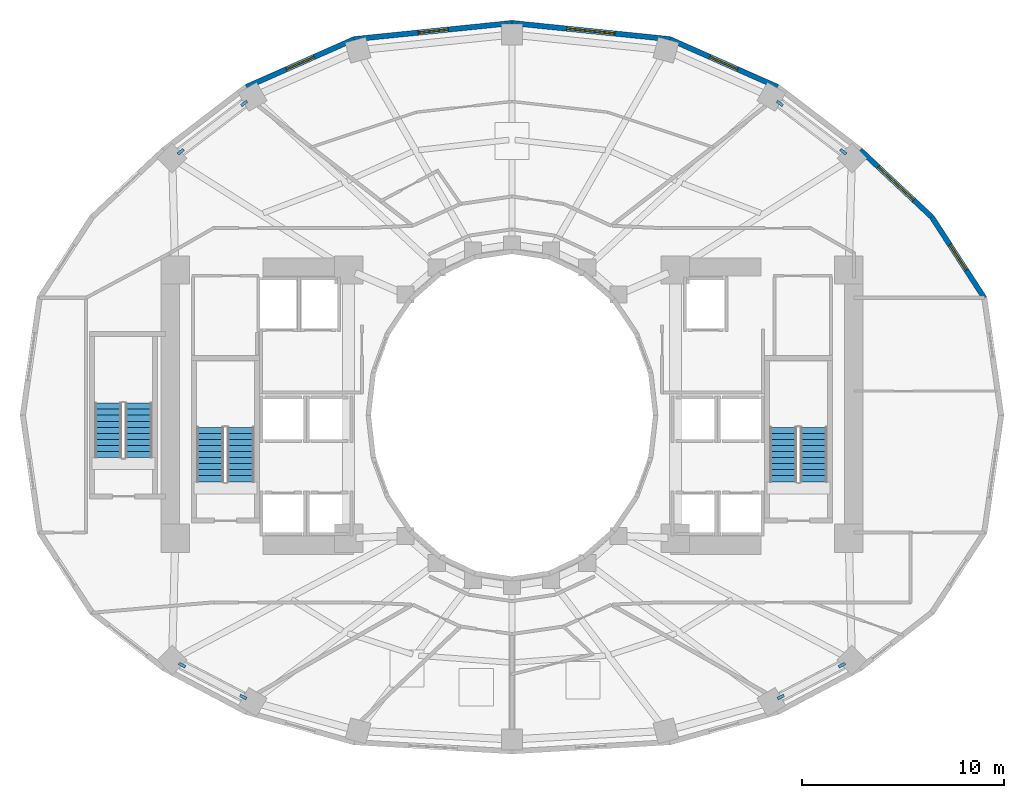
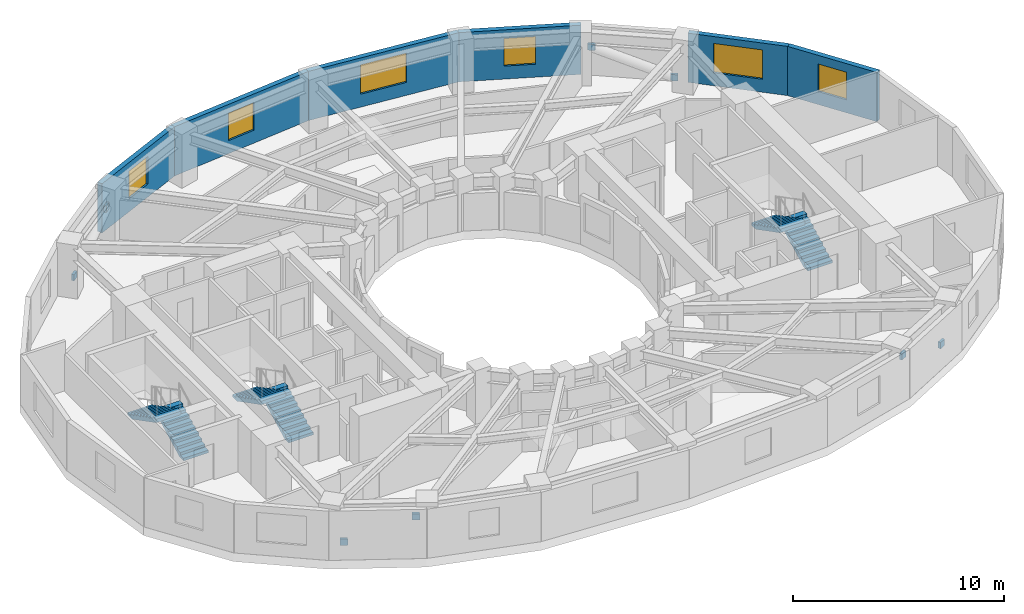
# One storey, part 7 of 9: 8 discrete accessories, 6 stair flights, 6 walls, 6 windows, 6 openings, 3 elements without a shape of their own.
"""IFC4 building model written with IfcOpenShell, lengths in metres."""

from ifc_helpers import new_model, si_unit, direction, frame, frame_2d, origin, origin_2d, place, context, subcontext, project, spatial, polyline, rectangle, outline, extrude, material, layer, layer_set, type_object, element, fill, aggregate, save


model = new_model("IFC4")

# Units and contexts
model_context = context("Model", 3, precision=1e-05, world=origin(), true_north=direction((0.0, 1.0)))
body_context = subcontext(model_context, "Body", "Model", "MODEL_VIEW")
ifc_project = project(units=[si_unit("LENGTHUNIT", "METRE"), si_unit("AREAUNIT", "SQUARE_METRE"), si_unit("VOLUMEUNIT", "CUBIC_METRE"), si_unit("PLANEANGLEUNIT", "RADIAN"), si_unit("MASSUNIT", "GRAM", prefix="KILO")], contexts=[model_context])

# Site, building, storey
site_placement = place(None, origin())
site = spatial("IfcSite", under=ifc_project, at=site_placement, CompositionType="ELEMENT")
building_placement = place(site_placement, origin())
building = spatial("IfcBuilding", under=site, at=building_placement, Name="Solvane Sanctuary Tower", CompositionType="ELEMENT")
storey_placement = place(building_placement, frame((0.0, 0.0, 76.300048828125)))
storey = spatial("IfcBuildingStorey", under=building, at=storey_placement, Name="L22", CompositionType="ELEMENT", Elevation=76.300048828125)

# Wall, opening, window
ifc_material_1 = material(Name="Precast concrete C40/50", Category="concrete")
ifc_layer_1 = layer(ifc_material_1, 0.260009765625, Name="Precast concrete C40/50")
ifc_layer_set_1 = layer_set([ifc_layer_1], Name="Precast concrete C40/50")
wall_type = type_object("IfcWallType", Name="Wall W-EXT-250", PredefinedType="STANDARD", material=ifc_layer_set_1)
wall_1_placement = place(storey_placement, frame((55.421875, 28.818603515625, 0.0), z_axis=(0.0, 0.0, 1.0), x_axis=(-0.544388392991, 0.838833283541, 0.0)))
wall_1 = element("IfcWall", 1, at=wall_1_placement, inside=storey, type_object=wall_type, Name="L22 Ceramic-Printed Facade Wall 01", PredefinedType="STANDARD", context=body_context, shape_type="SweptSolid", body=[
    extrude(rectangle(XDim=4.7783203125, YDim=0.260009765625, at=frame_2d((2.38916015625, 0.0))), origin(), (0.0, 0.0, 1.0), 2.849853515625),
])
opening_1_placement = place(wall_1_placement, frame((1.63916015625, 0.0, 0.75)))
opening_1 = element("IfcOpeningElement", 2, at=opening_1_placement, cuts=wall_1, Name="Opening WN-OPER-1500", PredefinedType="OPENING", context=body_context, shape_type="SweptSolid", body=[
    extrude(rectangle(XDim=1.5, YDim=1.60009765625, at=frame_2d((0.75, 0.800048828125))), frame((0.0, 0.139892578125, 0.0), z_axis=(0.0, -1.0, 0.0), x_axis=(1.0, 0.0, 0.0)), (0.0, 0.0, 1.0), 0.280029296875),
])
ifc_material_2 = material(Name="Dark Ceramic-Fritted Low-E Glass", Category="glass")
window_type_1 = type_object("IfcWindowType", Name="Window WN-OPER-1500", PartitioningType="SINGLE_PANEL", PredefinedType="WINDOW", material=ifc_material_2)
window_1_placement = place(opening_1_placement, origin())
window_1 = element("IfcWindow", 3, at=window_1_placement, inside=storey, type_object=window_type_1, Name="L22 Operable Facade Window 01", OverallHeight=1.60009765625, OverallWidth=1.5, PartitioningType="SINGLE_PANEL", PredefinedType="WINDOW", context=body_context, shape_type="SweptSolid", body=[
    extrude(rectangle(XDim=1.5, YDim=1.60009765625, at=frame_2d((0.75, 0.800048828125))), frame((0.0, 0.030029296875, 0.0), z_axis=(0.0, -1.0, 0.0), x_axis=(1.0, 0.0, 0.0)), (0.0, 0.0, 1.0), 0.06005859375),
])
fill(opening_1, window_1)

wall_2_placement = place(storey_placement, frame((52.820556640625, 32.826904296875, 0.0), z_axis=(0.0, 0.0, 1.0), x_axis=(-0.730162452258, 0.68327358599, 0.0)))
wall_2 = element("IfcWall", 4, at=wall_2_placement, inside=storey, type_object=wall_type, Name="L22 Ceramic-Printed Facade Wall 02", PredefinedType="STANDARD", context=body_context, shape_type="SweptSolid", body=[
    extrude(rectangle(XDim=4.868408203125, YDim=0.260009765625, at=frame_2d((2.43408203125, 0.0))), origin(), (0.0, 0.0, 1.0), 2.849853515625),
])
opening_2_placement = place(wall_2_placement, frame((1.234130859375, 0.0, 0.75)))
opening_2 = element("IfcOpeningElement", 5, at=opening_2_placement, cuts=wall_2, Name="Opening WN-RIB-2400", PredefinedType="OPENING", context=body_context, shape_type="SweptSolid", body=[
    extrude(rectangle(XDim=2.39990234375, YDim=1.699951171875, at=frame_2d((1.199951171875, 0.85009765625))), frame((0.0, 0.139892578125, 0.0), z_axis=(0.0, -1.0, 0.0), x_axis=(1.0, 0.0, 0.0)), (0.0, 0.0, 1.0), 0.280029296875),
])
window_type_2 = type_object("IfcWindowType", Name="Window WN-RIB-2400", PartitioningType="SINGLE_PANEL", PredefinedType="WINDOW", material=ifc_material_2)
window_2_placement = place(opening_2_placement, origin())
window_2 = element("IfcWindow", 6, at=window_2_placement, inside=storey, type_object=window_type_2, Name="L22 Operable Facade Window 02", OverallHeight=1.699951171875, OverallWidth=2.39990234375, PartitioningType="SINGLE_PANEL", PredefinedType="WINDOW", context=body_context, shape_type="SweptSolid", body=[
    extrude(rectangle(XDim=2.39990234375, YDim=1.699951171875, at=frame_2d((1.199951171875, 0.85009765625))), frame((0.0, 0.030029296875, 0.0), z_axis=(0.0, -1.0, 0.0), x_axis=(1.0, 0.0, 0.0)), (0.0, 0.0, 1.0), 0.06005859375),
])
fill(opening_2, window_2)

wall_3_placement = place(storey_placement, frame((45.17333984375, 39.278076171875, 0.0), z_axis=(0.0, 0.0, 1.0), x_axis=(-0.914336605747, 0.404955023911, 0.0)))
wall_3 = element("IfcWall", 7, at=wall_3_placement, inside=storey, type_object=wall_type, Name="L22 Ceramic-Printed Facade Wall 04", PredefinedType="STANDARD", context=body_context, shape_type="SweptSolid", body=[
    extrude(rectangle(XDim=5.85888671875, YDim=0.260009765625, at=frame_2d((2.929443359375, 0.0))), origin(), (0.0, 0.0, 1.0), 2.849853515625),
])
opening_3_placement = place(wall_3_placement, frame((2.179443359375, 0.0, 0.75)))
opening_3 = element("IfcOpeningElement", 8, at=opening_3_placement, cuts=wall_3, Name="Opening WN-OPER-1500", PredefinedType="OPENING", context=body_context, shape_type="SweptSolid", body=[
    extrude(rectangle(XDim=1.5, YDim=1.60009765625, at=frame_2d((0.75, 0.800048828125))), frame((0.0, 0.139892578125, 0.0), z_axis=(0.0, -1.0, 0.0), x_axis=(1.0, 0.0, 0.0)), (0.0, 0.0, 1.0), 0.280029296875),
])
window_3_placement = place(opening_3_placement, origin())
window_3 = element("IfcWindow", 9, at=window_3_placement, inside=storey, type_object=window_type_1, Name="L22 Operable Facade Window 04", OverallHeight=1.60009765625, OverallWidth=1.5, PartitioningType="SINGLE_PANEL", PredefinedType="WINDOW", context=body_context, shape_type="SweptSolid", body=[
    extrude(rectangle(XDim=1.5, YDim=1.60009765625, at=frame_2d((0.75, 0.800048828125))), frame((0.0, 0.030029296875, 0.0), z_axis=(0.0, -1.0, 0.0), x_axis=(1.0, 0.0, 0.0)), (0.0, 0.0, 1.0), 0.06005859375),
])
fill(opening_3, window_3)

wall_4_placement = place(storey_placement, frame((39.81640625, 41.650634765625, 0.0), z_axis=(0.0, 0.0, 1.0), x_axis=(-0.994821390558, 0.101638579726, 0.0)))
wall_4 = element("IfcWall", 10, at=wall_4_placement, inside=storey, type_object=wall_type, Name="L22 Ceramic-Printed Facade Wall 05", PredefinedType="STANDARD", context=body_context, shape_type="SweptSolid", body=[
    extrude(rectangle(XDim=7.857177734375, YDim=0.260009765625, at=frame_2d((3.9287109375, 0.0))), origin(), (0.0, 0.0, 1.0), 2.849853515625),
])
opening_4_placement = place(wall_4_placement, frame((2.728515625, 0.0, 0.75)))
opening_4 = element("IfcOpeningElement", 11, at=opening_4_placement, cuts=wall_4, Name="Opening WN-RIB-2400", PredefinedType="OPENING", context=body_context, shape_type="SweptSolid", body=[
    extrude(rectangle(XDim=2.39990234375, YDim=1.699951171875, at=frame_2d((1.199951171875, 0.85009765625))), frame((0.0, 0.139892578125, 0.0), z_axis=(0.0, -1.0, 0.0), x_axis=(1.0, 0.0, 0.0)), (0.0, 0.0, 1.0), 0.280029296875),
])
window_4_placement = place(opening_4_placement, origin())
window_4 = element("IfcWindow", 12, at=window_4_placement, inside=storey, type_object=window_type_2, Name="L22 Operable Facade Window 05", OverallHeight=1.699951171875, OverallWidth=2.39990234375, PartitioningType="SINGLE_PANEL", PredefinedType="WINDOW", context=body_context, shape_type="SweptSolid", body=[
    extrude(rectangle(XDim=2.39990234375, YDim=1.699951171875, at=frame_2d((1.199951171875, 0.85009765625))), frame((0.0, 0.030029296875, 0.0), z_axis=(0.0, -1.0, 0.0), x_axis=(1.0, 0.0, 0.0)), (0.0, 0.0, 1.0), 0.06005859375),
])
fill(opening_4, window_4)

wall_5_placement = place(storey_placement, frame((32.0, 42.44921875, 0.0), z_axis=(0.0, 0.0, 1.0), x_axis=(-0.994821390558, -0.101638579726, 0.0)))
wall_5 = element("IfcWall", 13, at=wall_5_placement, inside=storey, type_object=wall_type, Name="L22 Ceramic-Printed Facade Wall 06", PredefinedType="STANDARD", context=body_context, shape_type="SweptSolid", body=[
    extrude(rectangle(XDim=7.857177734375, YDim=0.260009765625, at=frame_2d((3.9287109375, 0.0))), origin(), (0.0, 0.0, 1.0), 2.849853515625),
])
opening_5_placement = place(wall_5_placement, frame((3.178466796875, 0.0, 0.75)))
opening_5 = element("IfcOpeningElement", 14, at=opening_5_placement, cuts=wall_5, Name="Opening WN-OPER-1500", PredefinedType="OPENING", context=body_context, shape_type="SweptSolid", body=[
    extrude(rectangle(XDim=1.5, YDim=1.60009765625, at=frame_2d((0.75, 0.800048828125))), frame((0.0, 0.139892578125, 0.0), z_axis=(0.0, -1.0, 0.0), x_axis=(1.0, 0.0, 0.0)), (0.0, 0.0, 1.0), 0.280029296875),
])
window_5_placement = place(opening_5_placement, origin())
window_5 = element("IfcWindow", 15, at=window_5_placement, inside=storey, type_object=window_type_1, Name="L22 Operable Facade Window 06", OverallHeight=1.60009765625, OverallWidth=1.5, PartitioningType="SINGLE_PANEL", PredefinedType="WINDOW", context=body_context, shape_type="SweptSolid", body=[
    extrude(rectangle(XDim=1.5, YDim=1.60009765625, at=frame_2d((0.75, 0.800048828125))), frame((0.0, 0.030029296875, 0.0), z_axis=(0.0, -1.0, 0.0), x_axis=(1.0, 0.0, 0.0)), (0.0, 0.0, 1.0), 0.06005859375),
])
fill(opening_5, window_5)

wall_6_placement = place(storey_placement, frame((24.18359375, 41.650634765625, 0.0), z_axis=(0.0, 0.0, 1.0), x_axis=(-0.914336605747, -0.404955023911, 0.0)))
wall_6 = element("IfcWall", 16, at=wall_6_placement, inside=storey, type_object=wall_type, Name="L22 Ceramic-Printed Facade Wall 07", PredefinedType="STANDARD", context=body_context, shape_type="SweptSolid", body=[
    extrude(rectangle(XDim=5.85888671875, YDim=0.260009765625, at=frame_2d((2.929443359375, 0.0))), origin(), (0.0, 0.0, 1.0), 2.849853515625),
])
opening_6_placement = place(wall_6_placement, frame((2.179443359375, 0.0, 0.75)))
opening_6 = element("IfcOpeningElement", 17, at=opening_6_placement, cuts=wall_6, Name="Opening WN-OPER-1500", PredefinedType="OPENING", context=body_context, shape_type="SweptSolid", body=[
    extrude(rectangle(XDim=1.5, YDim=1.60009765625, at=frame_2d((0.75, 0.800048828125))), frame((0.0, 0.139892578125, 0.0), z_axis=(0.0, -1.0, 0.0), x_axis=(1.0, 0.0, 0.0)), (0.0, 0.0, 1.0), 0.280029296875),
])
window_6_placement = place(opening_6_placement, origin())
window_6 = element("IfcWindow", 18, at=window_6_placement, inside=storey, type_object=window_type_1, Name="L22 Operable Facade Window 07", OverallHeight=1.60009765625, OverallWidth=1.5, PartitioningType="SINGLE_PANEL", PredefinedType="WINDOW", context=body_context, shape_type="SweptSolid", body=[
    extrude(rectangle(XDim=1.5, YDim=1.60009765625, at=frame_2d((0.75, 0.800048828125))), frame((0.0, 0.030029296875, 0.0), z_axis=(0.0, -1.0, 0.0), x_axis=(1.0, 0.0, 0.0)), (0.0, 0.0, 1.0), 0.06005859375),
])
fill(opening_6, window_6)

# Stair, stair flights
ifc_material_3 = material(Name="Concrete C45/55", Category="concrete")
stair_type = type_object("IfcStairType", Name="Stair ST-TOW", PredefinedType="HALF_TURN_STAIR", material=ifc_material_3)
stair_1_placement = place(storey_placement, origin())
stair_1 = element("IfcStair", 19, at=stair_1_placement, inside=storey, type_object=stair_type, Name="L22 Exit Stair ST-1 West Core", PredefinedType="HALF_TURN_STAIR")
stair_flight_type = type_object("IfcStairFlightType", Name="StairFlight SF-TOW", PredefinedType="STRAIGHT", material=ifc_material_3)
stair_flight_1_placement = place(storey_placement, frame((18.544921875, 19.699951171875, 0.0), z_axis=(0.0, 0.0, 1.0), x_axis=(0.0, 1.0, 0.0)))
stair_flight_1 = element("IfcStairFlight", 20, at=stair_flight_1_placement, type_object=stair_flight_type, Name="ST-1 flight 1", NumberOfRisers=10, NumberOfTreads=9, PredefinedType="STRAIGHT", RiserHeight=0.155, TreadLength=0.3, context=body_context, shape_type="SweptSolid", body=[
    extrude(outline(polyline([(0.0, 0.0), (0.0, 0.155029296875), (0.300048828125, 0.155029296875), (0.300048828125, 0.31005859375), (0.60009765625, 0.31005859375), (0.60009765625, 0.465087890625), (0.89990234375, 0.465087890625), (0.89990234375, 0.6201171875), (1.199951171875, 0.6201171875), (1.199951171875, 0.77490234375), (1.5, 0.77490234375), (1.5, 0.929931640625), (1.800048828125, 0.929931640625), (1.800048828125, 1.0849609375), (2.10009765625, 1.0849609375), (2.10009765625, 1.239990234375), (2.39990234375, 1.239990234375), (2.39990234375, 1.39501953125), (2.699951171875, 1.39501953125), (2.699951171875, 1.550048828125), (2.699951171875, 1.1923828125), (0.39208984375, 0.0), (0.0, 0.0)])), frame((0.0, 0.675048828125, 0.0), z_axis=(0.0, -1.0, 0.0), x_axis=(1.0, 0.0, 0.0)), (0.0, 0.0, 1.0), 1.35009765625),
])
stair_flight_2_placement = place(storey_placement, frame((17.034912109375, 22.39990234375, 1.550048828125), z_axis=(0.0, 0.0, 1.0), x_axis=(0.0, -1.0, 0.0)))
stair_flight_2 = element("IfcStairFlight", 21, at=stair_flight_2_placement, type_object=stair_flight_type, Name="ST-1 flight 2", NumberOfRisers=10, NumberOfTreads=9, PredefinedType="STRAIGHT", RiserHeight=0.155, TreadLength=0.3, context=body_context, shape_type="SweptSolid", body=[
    extrude(outline(polyline([(0.0, 0.0), (0.0, 0.155029296875), (0.300048828125, 0.155029296875), (0.300048828125, 0.31005859375), (0.60009765625, 0.31005859375), (0.60009765625, 0.465087890625), (0.89990234375, 0.465087890625), (0.89990234375, 0.6201171875), (1.199951171875, 0.6201171875), (1.199951171875, 0.77490234375), (1.5, 0.77490234375), (1.5, 0.929931640625), (1.800048828125, 0.929931640625), (1.800048828125, 1.0849609375), (2.10009765625, 1.0849609375), (2.10009765625, 1.239990234375), (2.39990234375, 1.239990234375), (2.39990234375, 1.39501953125), (2.699951171875, 1.39501953125), (2.699951171875, 1.550048828125), (2.699951171875, 1.1923828125), (0.39208984375, 0.0), (0.0, 0.0)])), frame((0.0, 0.675048828125, 0.0), z_axis=(0.0, -1.0, 0.0), x_axis=(1.0, 0.0, 0.0)), (0.0, 0.0, 1.0), 1.35009765625),
])
aggregate(stair_1, [stair_flight_1, stair_flight_2])

stair_2_placement = place(storey_placement, origin())
stair_2 = element("IfcStair", 22, at=stair_2_placement, inside=storey, type_object=stair_type, Name="L22 Exit Stair ST-2 East Core", PredefinedType="HALF_TURN_STAIR")
stair_flight_3_placement = place(storey_placement, frame((46.965087890625, 19.699951171875, 0.0), z_axis=(0.0, 0.0, 1.0), x_axis=(0.0, 1.0, 0.0)))
stair_flight_3 = element("IfcStairFlight", 23, at=stair_flight_3_placement, type_object=stair_flight_type, Name="ST-2 flight 1", NumberOfRisers=10, NumberOfTreads=9, PredefinedType="STRAIGHT", RiserHeight=0.155, TreadLength=0.3, context=body_context, shape_type="SweptSolid", body=[
    extrude(outline(polyline([(0.0, 0.0), (0.0, 0.155029296875), (0.300048828125, 0.155029296875), (0.300048828125, 0.31005859375), (0.60009765625, 0.31005859375), (0.60009765625, 0.465087890625), (0.89990234375, 0.465087890625), (0.89990234375, 0.6201171875), (1.199951171875, 0.6201171875), (1.199951171875, 0.77490234375), (1.5, 0.77490234375), (1.5, 0.929931640625), (1.800048828125, 0.929931640625), (1.800048828125, 1.0849609375), (2.10009765625, 1.0849609375), (2.10009765625, 1.239990234375), (2.39990234375, 1.239990234375), (2.39990234375, 1.39501953125), (2.699951171875, 1.39501953125), (2.699951171875, 1.550048828125), (2.699951171875, 1.1923828125), (0.39208984375, 0.0), (0.0, 0.0)])), frame((0.0, 0.675048828125, 0.0), z_axis=(0.0, -1.0, 0.0), x_axis=(1.0, 0.0, 0.0)), (0.0, 0.0, 1.0), 1.35009765625),
])
stair_flight_4_placement = place(storey_placement, frame((45.455078125, 22.39990234375, 1.550048828125), z_axis=(0.0, 0.0, 1.0), x_axis=(0.0, -1.0, 0.0)))
stair_flight_4 = element("IfcStairFlight", 24, at=stair_flight_4_placement, type_object=stair_flight_type, Name="ST-2 flight 2", NumberOfRisers=10, NumberOfTreads=9, PredefinedType="STRAIGHT", RiserHeight=0.155, TreadLength=0.3, context=body_context, shape_type="SweptSolid", body=[
    extrude(outline(polyline([(0.0, 0.0), (0.0, 0.155029296875), (0.300048828125, 0.155029296875), (0.300048828125, 0.31005859375), (0.60009765625, 0.31005859375), (0.60009765625, 0.465087890625), (0.89990234375, 0.465087890625), (0.89990234375, 0.6201171875), (1.199951171875, 0.6201171875), (1.199951171875, 0.77490234375), (1.5, 0.77490234375), (1.5, 0.929931640625), (1.800048828125, 0.929931640625), (1.800048828125, 1.0849609375), (2.10009765625, 1.0849609375), (2.10009765625, 1.239990234375), (2.39990234375, 1.239990234375), (2.39990234375, 1.39501953125), (2.699951171875, 1.39501953125), (2.699951171875, 1.550048828125), (2.699951171875, 1.1923828125), (0.39208984375, 0.0), (0.0, 0.0)])), frame((0.0, 0.675048828125, 0.0), z_axis=(0.0, -1.0, 0.0), x_axis=(1.0, 0.0, 0.0)), (0.0, 0.0, 1.0), 1.35009765625),
])
aggregate(stair_2, [stair_flight_3, stair_flight_4])

stair_3_placement = place(storey_placement, origin())
stair_3 = element("IfcStair", 25, at=stair_3_placement, inside=storey, type_object=stair_type, Name="L22 Exit Stair ST-3 Pilgrim Tower Stair", PredefinedType="HALF_TURN_STAIR")
stair_flight_5_placement = place(storey_placement, frame((13.485107421875, 20.89990234375, 0.0), z_axis=(0.0, 0.0, 1.0), x_axis=(0.0, 1.0, 0.0)))
stair_flight_5 = element("IfcStairFlight", 26, at=stair_flight_5_placement, type_object=stair_flight_type, Name="ST-3 flight 1", NumberOfRisers=10, NumberOfTreads=9, PredefinedType="STRAIGHT", RiserHeight=0.155, TreadLength=0.3, context=body_context, shape_type="SweptSolid", body=[
    extrude(outline(polyline([(0.0, 0.0), (0.0, 0.155029296875), (0.300048828125, 0.155029296875), (0.300048828125, 0.31005859375), (0.60009765625, 0.31005859375), (0.60009765625, 0.465087890625), (0.89990234375, 0.465087890625), (0.89990234375, 0.6201171875), (1.199951171875, 0.6201171875), (1.199951171875, 0.77490234375), (1.5, 0.77490234375), (1.5, 0.929931640625), (1.800048828125, 0.929931640625), (1.800048828125, 1.0849609375), (2.10009765625, 1.0849609375), (2.10009765625, 1.239990234375), (2.39990234375, 1.239990234375), (2.39990234375, 1.39501953125), (2.699951171875, 1.39501953125), (2.699951171875, 1.550048828125), (2.699951171875, 1.1923828125), (0.39208984375, 0.0), (0.0, 0.0)])), frame((0.0, 0.675048828125, 0.0), z_axis=(0.0, -1.0, 0.0), x_axis=(1.0, 0.0, 0.0)), (0.0, 0.0, 1.0), 1.35009765625),
])
stair_flight_6_placement = place(storey_placement, frame((11.97509765625, 23.60009765625, 1.550048828125), z_axis=(0.0, 0.0, 1.0), x_axis=(0.0, -1.0, 0.0)))
stair_flight_6 = element("IfcStairFlight", 27, at=stair_flight_6_placement, type_object=stair_flight_type, Name="ST-3 flight 2", NumberOfRisers=10, NumberOfTreads=9, PredefinedType="STRAIGHT", RiserHeight=0.155, TreadLength=0.3, context=body_context, shape_type="SweptSolid", body=[
    extrude(outline(polyline([(0.0, 0.0), (0.0, 0.155029296875), (0.300048828125, 0.155029296875), (0.300048828125, 0.31005859375), (0.60009765625, 0.31005859375), (0.60009765625, 0.465087890625), (0.89990234375, 0.465087890625), (0.89990234375, 0.6201171875), (1.199951171875, 0.6201171875), (1.199951171875, 0.77490234375), (1.5, 0.77490234375), (1.5, 0.929931640625), (1.800048828125, 0.929931640625), (1.800048828125, 1.0849609375), (2.10009765625, 1.0849609375), (2.10009765625, 1.239990234375), (2.39990234375, 1.239990234375), (2.39990234375, 1.39501953125), (2.699951171875, 1.39501953125), (2.699951171875, 1.550048828125), (2.699951171875, 1.1923828125), (0.39208984375, 0.0), (0.0, 0.0)])), frame((0.0, 0.675048828125, 0.0), z_axis=(0.0, -1.0, 0.0), x_axis=(1.0, 0.0, 0.0)), (0.0, 0.0, 1.0), 1.35009765625),
])
aggregate(stair_3, [stair_flight_5, stair_flight_6])

# Discrete accessories
ifc_material_4 = material(Name="Steel ASTM A572 Grade 50", Category="steel")
ifc_layer_2 = layer(ifc_material_4, 0.360107421875, Name="Steel ASTM A572 Grade 50")
ifc_layer_set_2 = layer_set([ifc_layer_2], Name="Steel ASTM A572 Grade 50")
discrete_accessory_type = type_object("IfcDiscreteAccessoryType", Name="Accessory ACC-GUSSET-BRK", PredefinedType="BRACKET", material=ifc_layer_set_2)
for number, where, z_axis, x_axis, name in (
    (28, (48.427734375, 36.066650390625, 0.390625), (0.0, 0.0, 1.0), (-0.795473480855, 0.605988400266, 0.0), "L22 Perimeter Braced-Tube Diagonal NE End Gusset Bracket A"),
    (29, (45.283203125, 38.462646484375, 1.80126953125), (0.0, 0.0, 1.0), (-0.795473480855, 0.605988400266, 0.0), "L22 Perimeter Braced-Tube Diagonal NE End Gusset Bracket B"),
    (30, (15.572265625, 36.066650390625, 0.390625), (0.0, 0.0, 1.0), (0.795473480855, 0.605988400266, 0.0), "L22 Perimeter Braced-Tube Diagonal NW End Gusset Bracket A"),
    (31, (18.716796875, 38.462646484375, 1.80126953125), (0.0, 0.0, 1.0), (0.795473480855, 0.605988400266, 0.0), "L22 Perimeter Braced-Tube Diagonal NW End Gusset Bracket B"),
    (32, (15.639404296875, 10.60546875, 0.4208984375), (0.0, 0.0, 1.0), (0.887010833178, -0.461748613235, 0.0), "L22 Perimeter Braced-Tube Diagonal SW End Gusset Bracket A"),
    (33, (18.67138671875, 9.02734375, 1.78076171875), (0.0, 0.0, 1.0), (0.887010833178, -0.461748613235, 0.0), "L22 Perimeter Braced-Tube Diagonal SW End Gusset Bracket B"),
    (34, (48.360595703125, 10.60546875, 0.4208984375), (0.0, 0.0, 1.0), (-0.887010833178, -0.461748613235, 0.0), "L22 Perimeter Braced-Tube Diagonal SE End Gusset Bracket A"),
    (35, (45.32861328125, 9.02734375, 1.78076171875), (0.0, 0.0, 1.0), (-0.887010833178, -0.461748613235, 0.0), "L22 Perimeter Braced-Tube Diagonal SE End Gusset Bracket B"),
):
    element("IfcDiscreteAccessory", number, at=place(storey_placement, frame(where, z_axis=z_axis, x_axis=x_axis)), inside=storey, type_object=discrete_accessory_type, Name=name, PredefinedType="BRACKET", context=body_context, shape_type="SweptSolid", body=[
        extrude(rectangle(XDim=0.360107421875, YDim=0.139892578125, at=origin_2d()), origin(), (0.0, 0.0, 1.0), 0.360107421875),
    ])

save(model, "model.ifc")
